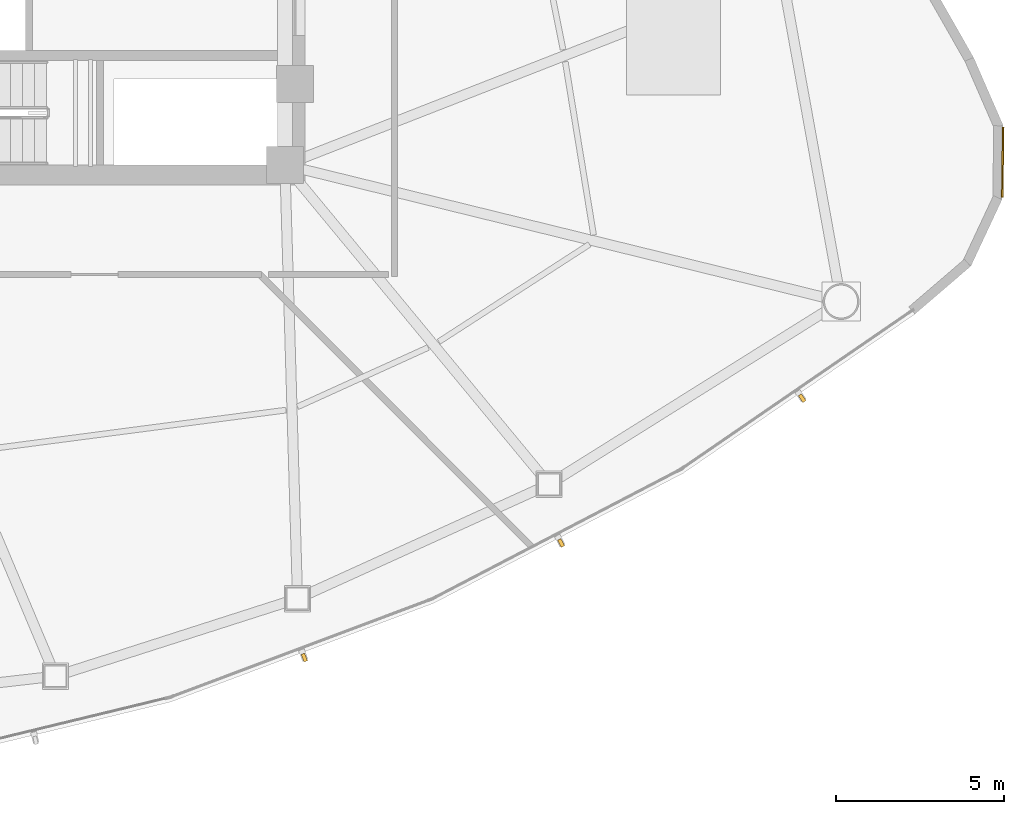
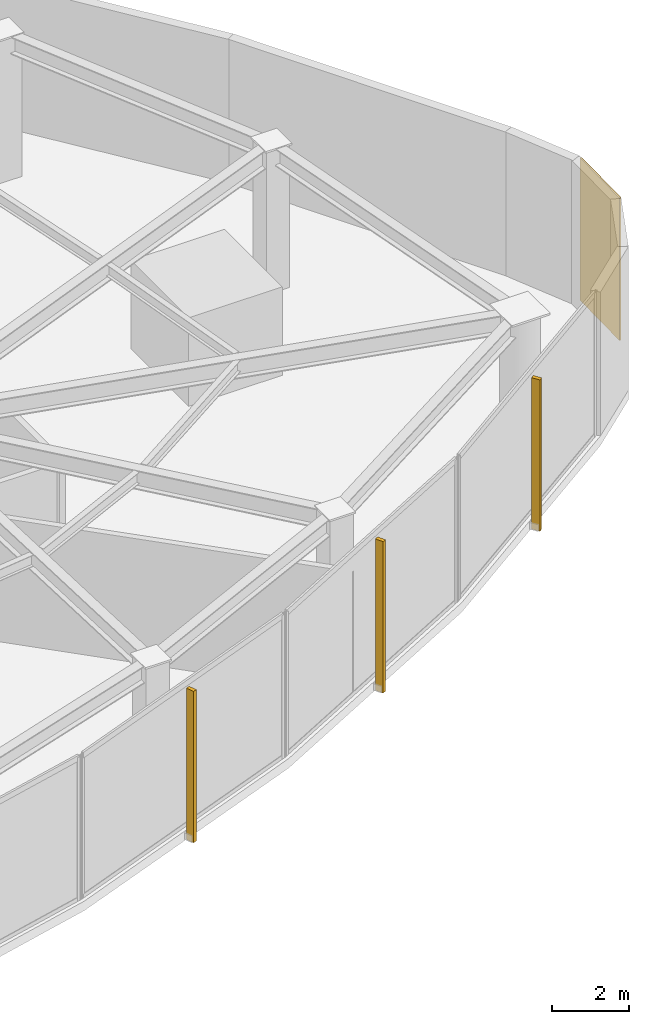
# One storey, part 14 of 16: 3 shading devices, 1 covering.
"""IFC4 building model written with IfcOpenShell, lengths in metres."""

from ifc_helpers import new_model, si_unit, direction, frame, origin, origin_2d, place, context, subcontext, project, spatial, rectangle, extrude, source, transform, mapped, material, layer, layer_set, type_object, type_shapes, element, save


model = new_model("IFC4")

# Units and contexts
model_context = context("Model", 3, precision=1e-05, world=origin(), true_north=direction((0.0, 1.0)))
body_context = subcontext(model_context, "Body", "Model", "MODEL_VIEW")
ifc_project = project(units=[si_unit("LENGTHUNIT", "METRE"), si_unit("AREAUNIT", "SQUARE_METRE"), si_unit("VOLUMEUNIT", "CUBIC_METRE"), si_unit("PLANEANGLEUNIT", "RADIAN"), si_unit("MASSUNIT", "GRAM", prefix="KILO")], contexts=[model_context])

# Site, building, storey
site_placement = place(None, origin())
site = spatial("IfcSite", under=ifc_project, at=site_placement, CompositionType="ELEMENT")
building_placement = place(site_placement, origin())
building = spatial("IfcBuilding", under=site, at=building_placement, Name="Tavelor Broadcast Tower", CompositionType="ELEMENT")
storey_placement = place(building_placement, frame((0.0, 0.0, 97.800048828125)))
storey = spatial("IfcBuildingStorey", under=building, at=storey_placement, Name="L23", CompositionType="ELEMENT", Elevation=97.800048828125)

# Covering
ifc_material_1 = material(Name="Copper-Bronze Anodized Aluminium", Category="aluminium")
ifc_layer = layer(ifc_material_1, 0.050048828125)
ifc_layer_set = layer_set([ifc_layer], Name="Copper-Bronze Anodized Aluminium")
covering_type = type_object("IfcCoveringType", Name="Champagne-Bronze Corner Pier Metal Cladding 50 mm", PredefinedType="CLADDING", material=ifc_layer_set)
covering_placement = place(storey_placement, frame((77.91748046875, 38.881103515625, 0.02001953125), z_axis=(0.0, 0.0, 1.0), x_axis=(0.013089595571, 0.999914327574, 0.0)))
element("IfcCovering", 1, at=covering_placement, inside=storey, type_object=covering_type, Name="L23 Champagne-Bronze Corner Cladding 23", PredefinedType="CLADDING", context=body_context, shape_type="SweptSolid", body=[
    extrude(rectangle(XDim=2.093017578125, YDim=0.050048828125, at=origin_2d()), origin(), (0.0, 0.0, 1.0), 4.510009765625),
])

# Shading devices
ifc_material_2 = material(Name="Kiln-Fired Glazed Terracotta", Category="masonry")
shading_device_type = type_object("IfcShadingDeviceType", Name="Extruded Terracotta Baguette Sun-Screen 110x240", PredefinedType="JALOUSIE", material=ifc_material_2)
shared_shape = source(origin(), body_context, "Body", "SweptSolid", [
    extrude(rectangle(XDim=0.110107421875, YDim=0.239990234375, at=origin_2d()), origin(), (0.0, 0.0, 1.0), 4.7900390625),
])
type_shapes(shading_device_type, [shared_shape])
for number, where, z_axis, x_axis, name in (
    (2, (57.176513671875, 24.170654296875, -0.260009765625), (0.0, 0.0, 1.0), (0.936182294613, 0.351514880558, 0.0), "L23 Terracotta Baguette Fin 234"),
    (3, (64.802734375, 27.573974609375, -0.260009765625), (0.0, 0.0, 1.0), (0.886768940591, 0.462212987705, 0.0), "L23 Terracotta Baguette Fin 235"),
    (4, (71.9609375, 31.875244140625, -0.260009765625), (0.0, 0.0, 1.0), (0.824323851484, 0.566118528114, 0.0), "L23 Terracotta Baguette Fin 236"),
):
    element("IfcShadingDevice", number, at=place(storey_placement, frame(where, z_axis=z_axis, x_axis=x_axis)), inside=storey, type_object=shading_device_type, Name=name, PredefinedType="JALOUSIE", context=body_context, shape_type="MappedRepresentation", body=[
        mapped(shared_shape, transform((0.0, 0.0, 0.0), scale=1.0)),
    ])

save(model, "model.ifc")
